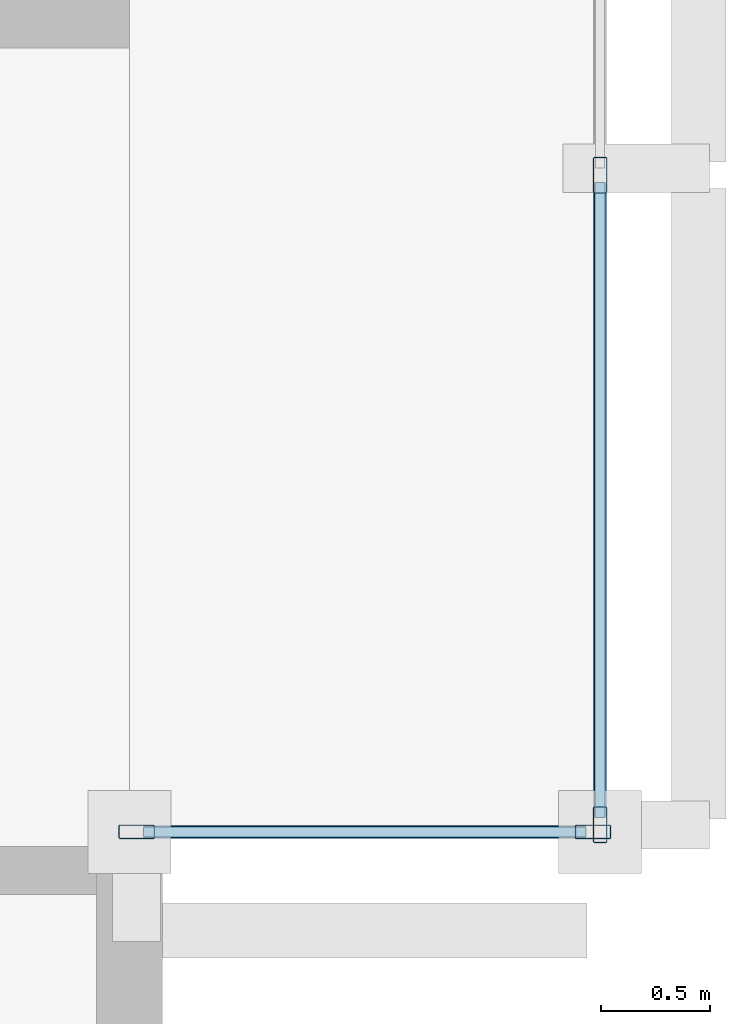
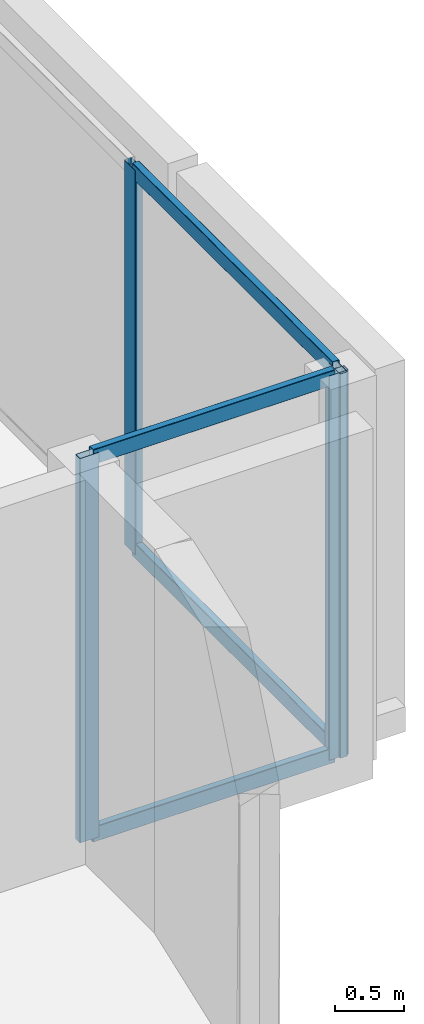
# One storey, part 4 of 14: 8 members, 2 elements without a shape of their own.
"""IFC4 building model written with IfcOpenShell, lengths in metres."""

import ifcopenshell
import ifcopenshell.guid

model = None  # the IFC model being written
_history = None  # IfcOwnerHistory: only IFC2X3 demands one
_inside = {}  # id of a spatial element -> (the spatial element, [elements in it])
_under = {}  # id of a project, library or spatial element -> (it, [spatial elements below it])
_declared = {}  # id of a project -> (the project, [libraries it declares])
_typed = {}  # id of a type object -> (the type object, [elements of that type])
_made_of = {}  # id of a material, layer set ... -> (it, [elements and type objects made of it])


def new_model(schema):
    """Start an empty IFC model of exactly this schema.

    Asked for "IFC4X3", IfcOpenShell would pick the latest addendum, in which some entities
    have other attributes; the version numbers below select the first issue.
    IFC2X3 requires an IfcOwnerHistory on every rooted entity: one is made here for all.
    """
    global model, _history
    if schema == "IFC4X3":
        model = ifcopenshell.file(schema_version=(4, 3, 0, 0))
    else:
        model = ifcopenshell.file(schema=schema)
    _inside.clear()
    _under.clear()
    _declared.clear()
    _typed.clear()
    _made_of.clear()
    _history = None
    if model.schema == "IFC2X3":
        org = make("IfcOrganization", Name="unknown")
        user = make(
            "IfcPersonAndOrganization",
            ThePerson=make("IfcPerson", FamilyName="unknown"),
            TheOrganization=org,
        )
        app = make(
            "IfcApplication",
            ApplicationDeveloper=org,
            Version="unknown",
            ApplicationFullName="unknown",
            ApplicationIdentifier="unknown",
        )
        _history = make(
            "IfcOwnerHistory",
            OwningUser=user,
            OwningApplication=app,
            ChangeAction="ADDED",
            CreationDate=0,
        )
    return model


def make(cls, **values):
    """One entity of the class cls with the attributes given. An attribute that is None is left unset."""
    return model.create_entity(
        cls, **{name: value for name, value in values.items() if value is not None}
    )


def rooted(cls, **values):
    """An entity with a GlobalId (a new one), such as an element, a storey or a relation."""
    return make(cls, GlobalId=ifcopenshell.guid.new(), OwnerHistory=_history, **values)


def si_unit(unit_type, name, prefix=None):
    """IfcSIUnit, for example si_unit("LENGTHUNIT", "METRE", prefix="MILLI")."""
    return make("IfcSIUnit", UnitType=unit_type, Prefix=prefix, Name=name)


def assignment(units):
    """IfcUnitAssignment: the units of a project."""
    return None if units is None else make("IfcUnitAssignment", Units=units)


def point(xyz):
    """IfcCartesianPoint."""
    return None if xyz is None else make("IfcCartesianPoint", Coordinates=xyz)


def direction(xyz):
    """IfcDirection."""
    return None if xyz is None else make("IfcDirection", DirectionRatios=xyz)


def frame(location, z_axis=None, x_axis=None):
    """IfcAxis2Placement3D, a coordinate frame: its origin and axes. An axis left out is left unset."""
    return make(
        "IfcAxis2Placement3D",
        Location=point(location),
        Axis=direction(z_axis),
        RefDirection=direction(x_axis),
    )


def frame_2d(location, x_axis=None):
    """IfcAxis2Placement2D, a coordinate frame in the plane: its origin and x axis."""
    return make(
        "IfcAxis2Placement2D", Location=point(location), RefDirection=direction(x_axis)
    )


def origin():
    """The frame at (0, 0, 0) with its axes left unset."""
    return frame((0.0, 0.0, 0.0))


def origin_2d():
    """The frame at (0, 0) in the plane with its x axis left unset."""
    return frame_2d((0.0, 0.0))


def place(relative_to, where):
    """IfcLocalPlacement: puts the frame where relative to a parent placement (None: the world)."""
    return make(
        "IfcLocalPlacement", PlacementRelTo=relative_to, RelativePlacement=where
    )


def context(
    kind, dimensions, precision=None, world=None, true_north=None, identifier=None
):
    """IfcGeometricRepresentationContext, for example the 3D "Model" context."""
    return make(
        "IfcGeometricRepresentationContext",
        ContextIdentifier=identifier,
        ContextType=kind,
        CoordinateSpaceDimension=dimensions,
        Precision=precision,
        WorldCoordinateSystem=world,
        TrueNorth=true_north,
    )


def subcontext(parent, identifier, kind, view, scale=None):
    """IfcGeometricRepresentationSubContext, for example "Body" below "Model"."""
    return make(
        "IfcGeometricRepresentationSubContext",
        ContextIdentifier=identifier,
        ContextType=kind,
        ParentContext=parent,
        TargetScale=scale,
        TargetView=view,
    )


def project(units=None, contexts=None):
    """IfcProject with its units and contexts."""
    return rooted(
        "IfcProject",
        Name="project",
        RepresentationContexts=contexts,
        UnitsInContext=assignment(units),
    )


def spatial(cls, under=None, at=None, **own):
    """A site, building, storey or space (cls), placed at a placement, below another one or the project."""
    s = rooted(cls, ObjectPlacement=at, **own)
    if under is not None:
        _under.setdefault(under.id(), (under, []))[1].append(s)
    return s


def profile(cls, at=None, kind="AREA", **sizes):
    """A parametric profile (cls). Its sizes go by their IFC names, for example OverallWidth=200.0."""
    return make(cls, ProfileType=kind, Position=at, **sizes)


def hollow_rectangle(**sizes):
    """IfcRectangleHollowProfileDef."""
    return profile("IfcRectangleHollowProfileDef", **sizes)


def extrude(swept, where, along, depth):
    """IfcExtrudedAreaSolid: the profile swept, set in the frame where, extruded along a direction by depth."""
    return make(
        "IfcExtrudedAreaSolid",
        SweptArea=swept,
        Position=where,
        ExtrudedDirection=direction(along),
        Depth=depth,
    )


def shape(context_of_items, identifier, shape_type, items):
    """IfcShapeRepresentation: the items that make up one representation, for example the "Body"."""
    return make(
        "IfcShapeRepresentation",
        ContextOfItems=context_of_items,
        RepresentationIdentifier=identifier,
        RepresentationType=shape_type,
        Items=items,
    )


def material(Name=None, Category=None):
    """IfcMaterial."""
    return make("IfcMaterial", Name=Name, Category=Category)


def layer(
    of_material, thickness, ventilated=None, Name=None, Category=None, Priority=None
):
    """IfcMaterialLayer: one layer of a wall or slab, of a material (None: an air gap)."""
    return make(
        "IfcMaterialLayer",
        Material=of_material,
        LayerThickness=thickness,
        IsVentilated=ventilated,
        Name=Name,
        Category=Category,
        Priority=Priority,
    )


def layer_set(layers, Name=None):
    """IfcMaterialLayerSet."""
    return make("IfcMaterialLayerSet", MaterialLayers=layers, LayerSetName=Name)


def material_profile(
    of_material, cross_section, Name=None, Category=None, Priority=None
):
    """IfcMaterialProfile: a cross section and its material."""
    return make(
        "IfcMaterialProfile",
        Name=Name,
        Material=of_material,
        Profile=cross_section,
        Priority=Priority,
        Category=Category,
    )


def profile_set(profiles, Name=None, composite=None):
    """IfcMaterialProfileSet."""
    return make(
        "IfcMaterialProfileSet",
        Name=Name,
        MaterialProfiles=profiles,
        CompositeProfile=composite,
    )


def made_of(thing, what):
    """Note that an element or type object is made of a material, layer set ...; save() writes the relation."""
    if what is not None:
        _made_of.setdefault(what.id(), (what, []))[1].append(thing)
    return thing


def type_object(cls, material=None, **own):
    """A type object (cls), such as IfcWallType, which elements share."""
    return made_of(rooted(cls, **own), material)


def element(
    cls,
    number,
    at=None,
    inside=None,
    cuts=None,
    type_object=None,
    material=None,
    context=None,
    identifier="Body",
    shape_type=None,
    held_by="IfcProductDefinitionShape",
    body=None,
    shapes=None,
    **own,
):
    """One element of the class cls, such as IfcWall. Its Tag is "e" and its number.

    at: its placement. inside: the storey or other place that contains it. cuts: it is an
    opening in that element (IfcRelVoidsElement). A single representation is given by context,
    identifier, shape_type and body (its items); several are given by shapes. held_by: the class
    of the entity that holds the representations. save() writes the other relations.
    """
    e = rooted(cls, Tag="e%d" % number, ObjectPlacement=at, **own)
    if body is not None:
        shapes = [shape(context, identifier, shape_type, body)]
    if shapes is not None:
        e.Representation = make(held_by, Representations=shapes)
    if inside is not None:
        _inside.setdefault(inside.id(), (inside, []))[1].append(e)
    if cuts is not None:
        rooted(
            "IfcRelVoidsElement", RelatingBuildingElement=cuts, RelatedOpeningElement=e
        )
    if type_object is not None:
        _typed.setdefault(type_object.id(), (type_object, []))[1].append(e)
    return made_of(e, material)


def aggregate(whole, parts):
    """IfcRelAggregates: a whole, such as a stair, and the parts it consists of."""
    return rooted("IfcRelAggregates", RelatingObject=whole, RelatedObjects=parts)


def save(model, path):
    """Write the relations noted so far, then the file.

    IfcRelAggregates (storeys below a building ...), IfcRelContainedInSpatialStructure (elements
    in a storey), IfcRelDefinesByType, IfcRelAssociatesMaterial and IfcRelDeclares: one each for
    every whole, place, type object, material and project.
    """
    for whole, parts in _under.values():
        aggregate(whole, parts)
    for where, things in _inside.values():
        rooted(
            "IfcRelContainedInSpatialStructure",
            RelatedElements=things,
            RelatingStructure=where,
        )
    for kind, things in _typed.values():
        rooted("IfcRelDefinesByType", RelatedObjects=things, RelatingType=kind)
    for what, things in _made_of.values():
        rooted("IfcRelAssociatesMaterial", RelatedObjects=things, RelatingMaterial=what)
    for by, libraries in _declared.values():
        rooted("IfcRelDeclares", RelatingContext=by, RelatedDefinitions=libraries)
    model.write(path)


model = new_model("IFC4")

# Units and contexts
model_context = context("Model", 3, precision=1e-05, world=origin(), true_north=direction((0.0, 1.0)))
body_context = subcontext(model_context, "Body", "Model", "MODEL_VIEW")
ifc_project = project(units=[si_unit("LENGTHUNIT", "METRE"), si_unit("AREAUNIT", "SQUARE_METRE"), si_unit("VOLUMEUNIT", "CUBIC_METRE"), si_unit("PLANEANGLEUNIT", "RADIAN"), si_unit("MASSUNIT", "GRAM", prefix="KILO")], contexts=[model_context])

# Site, building, storey
site_placement = place(None, origin())
site = spatial("IfcSite", under=ifc_project, at=site_placement, CompositionType="ELEMENT")
building_placement = place(site_placement, origin())
building = spatial("IfcBuilding", under=site, at=building_placement, Name="An Khanh Terracotta Commons", CompositionType="ELEMENT")
storey_placement = place(building_placement, frame((0.0, 0.0, 219.300048828125)))
storey = spatial("IfcBuildingStorey", under=building, at=storey_placement, Name="L57", CompositionType="ELEMENT", Elevation=219.300048828125)

# Curtain wall, members
ifc_material = material(Name="Anodised Aluminium 6063-T6", Category="aluminium")
ifc_layer = layer(ifc_material, 0.239990234375, Name="Anodised Aluminium 6063-T6")
ifc_layer_set = layer_set([ifc_layer], Name="Anodised Aluminium 6063-T6")
curtain_wall_type = type_object("IfcCurtainWallType", Name="CW-SYS-04", PredefinedType="USERDEFINED", material=ifc_layer_set)
curtain_wall_1_placement = place(storey_placement, origin())
curtain_wall_1 = element("IfcCurtainWall", 1, at=curtain_wall_1_placement, inside=storey, type_object=curtain_wall_type, Name="L57 CW-04 Unitised Curtain Wall CW-L57-EBOX-1", ObjectType="UNITISED CURTAIN WALL", PredefinedType="USERDEFINED")
ifc_material_profile_1 = material_profile(ifc_material, hollow_rectangle(XDim=0.06494140625, YDim=0.1650390625, WallThickness=0.00390625, InnerFilletRadius=0.00390625, OuterFilletRadius=0.008056640625, at=origin_2d()), Name="RHS165x65x4")
ifc_profile_set_1 = profile_set([ifc_material_profile_1], Name="Anodised Aluminium 6063-T6")
member_type_1 = type_object("IfcMemberType", Name="CWM-RHS165x65x4", PredefinedType="MULLION", material=ifc_profile_set_1)
member_1_placement = place(storey_placement, frame((70.75, 19.4326171875, 0.0), z_axis=(0.0, 0.0, 1.0), x_axis=(-1.0, 0.0, 0.0)))
member_1 = element("IfcMember", 2, at=member_1_placement, type_object=member_type_1, Name="CW-04 mullion 1", PredefinedType="MULLION", context=body_context, shape_type="SweptSolid", body=[
    extrude(hollow_rectangle(XDim=0.06494140625, YDim=0.1650390625, WallThickness=0.00390625, InnerFilletRadius=0.00390625, OuterFilletRadius=0.008056640625, at=origin_2d()), origin(), (0.0, 0.0, 1.0), 3.39990234375),
])
member_2_placement = place(storey_placement, frame((70.75, 22.39990234375, 0.0), z_axis=(0.0, 0.0, 1.0), x_axis=(-1.0, 0.0, 0.0)))
member_2 = element("IfcMember", 3, at=member_2_placement, type_object=member_type_1, Name="CW-04 mullion 2", PredefinedType="MULLION", context=body_context, shape_type="SweptSolid", body=[
    extrude(hollow_rectangle(XDim=0.06494140625, YDim=0.1650390625, WallThickness=0.00390625, InnerFilletRadius=0.00390625, OuterFilletRadius=0.008056640625, at=origin_2d()), origin(), (0.0, 0.0, 1.0), 3.39990234375),
])

curtain_wall_2_placement = place(storey_placement, origin())
curtain_wall_2 = element("IfcCurtainWall", 4, at=curtain_wall_2_placement, inside=storey, type_object=curtain_wall_type, Name="L57 CW-04 Unitised Curtain Wall CW-L57-EBOX-2", ObjectType="UNITISED CURTAIN WALL", PredefinedType="USERDEFINED")
member_3_placement = place(storey_placement, frame((68.632568359375, 19.39990234375, 0.0), z_axis=(0.0, 0.0, 1.0), x_axis=(0.0, 1.0, 0.0)))
member_3 = element("IfcMember", 5, at=member_3_placement, type_object=member_type_1, Name="CW-04 mullion 1", PredefinedType="MULLION", context=body_context, shape_type="SweptSolid", body=[
    extrude(hollow_rectangle(XDim=0.06494140625, YDim=0.1650390625, WallThickness=0.00390625, InnerFilletRadius=0.00390625, OuterFilletRadius=0.008056640625, at=origin_2d()), origin(), (0.0, 0.0, 1.0), 3.39990234375),
])
member_4_placement = place(storey_placement, frame((70.717529296875, 19.39990234375, 0.0), z_axis=(0.0, 0.0, 1.0), x_axis=(0.0, 1.0, 0.0)))
member_4 = element("IfcMember", 6, at=member_4_placement, type_object=member_type_1, Name="CW-04 mullion 2", PredefinedType="MULLION", context=body_context, shape_type="SweptSolid", body=[
    extrude(hollow_rectangle(XDim=0.06494140625, YDim=0.1650390625, WallThickness=0.00390625, InnerFilletRadius=0.00390625, OuterFilletRadius=0.008056640625, at=origin_2d()), origin(), (0.0, 0.0, 1.0), 3.39990234375),
])

# Member
ifc_material_profile_2 = material_profile(ifc_material, hollow_rectangle(XDim=0.06005859375, YDim=0.135009765625, WallThickness=0.003662109375, InnerFilletRadius=0.003662109375, OuterFilletRadius=0.007080078125, at=origin_2d()), Name="RHS135x60x3.6")
ifc_profile_set_2 = profile_set([ifc_material_profile_2], Name="Anodised Aluminium 6063-T6")
member_type_2 = type_object("IfcMemberType", Name="CWT-RHS135x60x3.6", PredefinedType="USERDEFINED", material=ifc_profile_set_2)
member_5_placement = place(storey_placement, frame((70.75, 19.465087890625, 0.030029296875), z_axis=(0.0, 1.0, 0.0), x_axis=(-1.0, 0.0, 0.0)))
member_5 = element("IfcMember", 7, at=member_5_placement, type_object=member_type_2, Name="CW-04 transom 1.1", ObjectType="TRANSOM", PredefinedType="USERDEFINED", context=body_context, shape_type="SweptSolid", body=[
    extrude(hollow_rectangle(XDim=0.06005859375, YDim=0.135009765625, WallThickness=0.003662109375, InnerFilletRadius=0.003662109375, OuterFilletRadius=0.007080078125, at=origin_2d()), origin(), (0.0, 0.0, 1.0), 2.90234375),
])

member_6_placement = place(storey_placement, frame((70.75, 19.465087890625, 3.369873046875), z_axis=(0.0, 1.0, 0.0), x_axis=(-1.0, 0.0, 0.0)))
member_6 = element("IfcMember", 8, at=member_6_placement, type_object=member_type_2, Name="CW-04 transom 1.2", ObjectType="TRANSOM", PredefinedType="USERDEFINED", context=body_context, shape_type="SweptSolid", body=[
    extrude(hollow_rectangle(XDim=0.06005859375, YDim=0.135009765625, WallThickness=0.003662109375, InnerFilletRadius=0.003662109375, OuterFilletRadius=0.007080078125, at=origin_2d()), origin(), (0.0, 0.0, 1.0), 2.90234375),
])

aggregate(curtain_wall_1, [member_1, member_2, member_5, member_6])

member_7_placement = place(storey_placement, frame((68.6650390625, 19.39990234375, 0.030029296875), z_axis=(1.0, 0.0, 0.0), x_axis=(0.0, 1.0, 0.0)))
member_7 = element("IfcMember", 9, at=member_7_placement, type_object=member_type_2, Name="CW-04 transom 1.1", ObjectType="TRANSOM", PredefinedType="USERDEFINED", context=body_context, shape_type="SweptSolid", body=[
    extrude(hollow_rectangle(XDim=0.06005859375, YDim=0.135009765625, WallThickness=0.003662109375, InnerFilletRadius=0.003662109375, OuterFilletRadius=0.007080078125, at=origin_2d()), origin(), (0.0, 0.0, 1.0), 2.02001953125),
])

member_8_placement = place(storey_placement, frame((68.6650390625, 19.39990234375, 3.369873046875), z_axis=(1.0, 0.0, 0.0), x_axis=(0.0, 1.0, 0.0)))
member_8 = element("IfcMember", 10, at=member_8_placement, type_object=member_type_2, Name="CW-04 transom 1.2", ObjectType="TRANSOM", PredefinedType="USERDEFINED", context=body_context, shape_type="SweptSolid", body=[
    extrude(hollow_rectangle(XDim=0.06005859375, YDim=0.135009765625, WallThickness=0.003662109375, InnerFilletRadius=0.003662109375, OuterFilletRadius=0.007080078125, at=origin_2d()), origin(), (0.0, 0.0, 1.0), 2.02001953125),
])

aggregate(curtain_wall_2, [member_3, member_4, member_7, member_8])

save(model, "model.ifc")
